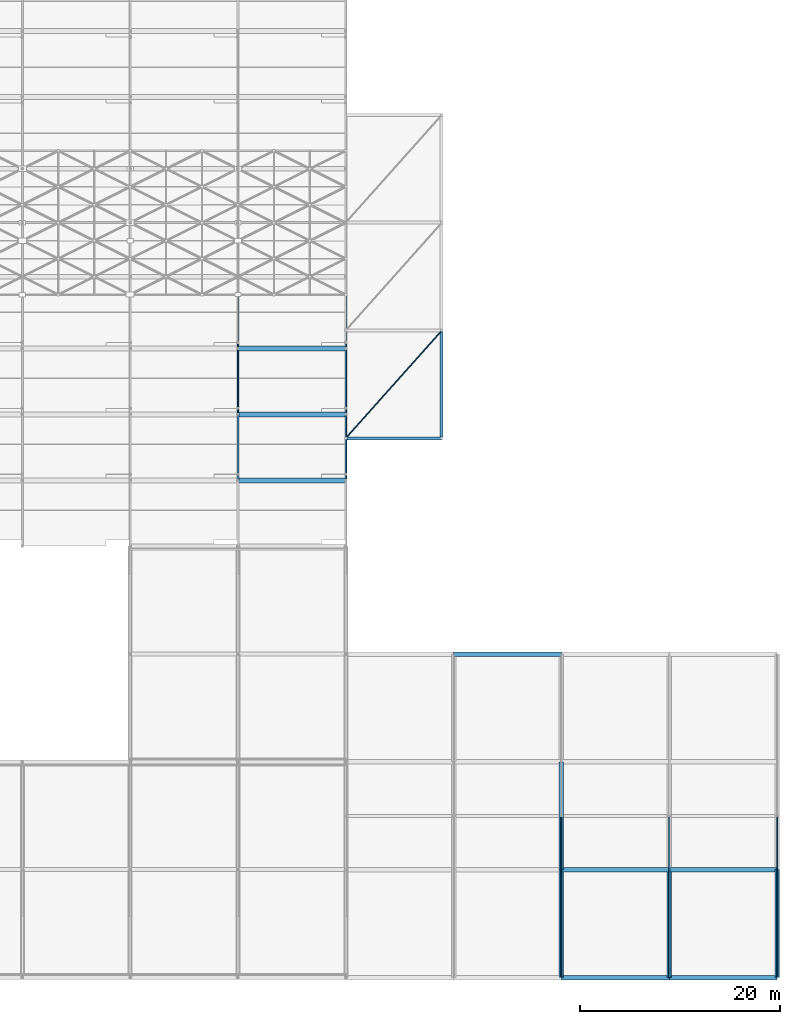
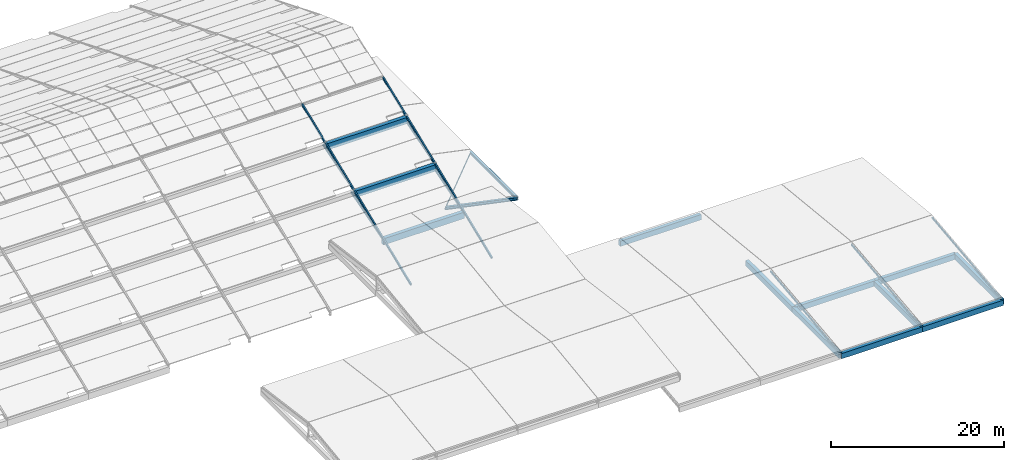
# One storey, part 59 of 112: 14 beams, 10 members.
"""IFC4 building model written with IfcOpenShell, lengths in metres."""

from ifc_helpers import new_model, si_unit, direction, frame, origin, origin_2d, place, context, subcontext, project, spatial, rectangle, hollow_rectangle, hollow_circle, i_section, extrude, material, material_profile, profile_set, type_object, element, save


model = new_model("IFC4")

# Units and contexts
model_context = context("Model", 3, precision=1e-05, world=origin(), true_north=direction((0.0, 1.0)))
body_context = subcontext(model_context, "Body", "Model", "MODEL_VIEW")
ifc_project = project(units=[si_unit("LENGTHUNIT", "METRE"), si_unit("AREAUNIT", "SQUARE_METRE"), si_unit("VOLUMEUNIT", "CUBIC_METRE"), si_unit("PLANEANGLEUNIT", "RADIAN"), si_unit("MASSUNIT", "GRAM", prefix="KILO")], contexts=[model_context])

# Site, building, storey
site_placement = place(None, origin())
site = spatial("IfcSite", under=ifc_project, at=site_placement, CompositionType="ELEMENT")
building_placement = place(site_placement, origin())
building = spatial("IfcBuilding", under=site, at=building_placement, Name="Zwinboog Wholesale Market", CompositionType="ELEMENT")
storey_placement = place(building_placement, frame((0.0, 0.0, 19.080078125)))
storey = spatial("IfcBuildingStorey", under=building, at=storey_placement, Name="Roof", CompositionType="ELEMENT", Elevation=19.080078125)

# Beams
ifc_material_1 = material(Name="Precast concrete C45/55", Category="concrete")
ifc_material_profile_1 = material_profile(ifc_material_1, rectangle(XDim=0.449951171875, YDim=0.75, at=origin_2d()), Name="PC 450x750")
ifc_profile_set_1 = profile_set([ifc_material_profile_1], Name="Precast concrete C45/55")
beam_type_1 = type_object("IfcBeamType", Name="BT-04", PredefinedType="BEAM", material=ifc_profile_set_1)
beam_1_placement = place(storey_placement, frame((183.60009765625, 32.39990234375, -4.695068359375), z_axis=(1.0, 0.0, 0.0), x_axis=(0.0, 1.0, 0.0)))
element("IfcBeam", 1, at=beam_1_placement, inside=storey, type_object=beam_type_1, Name="BG-04 (BMG-Roof-1836-0324-1266)", PredefinedType="BEAM", context=body_context, shape_type="SweptSolid", body=[
    extrude(rectangle(XDim=0.449951171875, YDim=0.75, at=origin_2d()), origin(), (0.0, 0.0, 1.0), 10.7998046875),
])
for number, where, z_axis, x_axis, name in (
    (2, (194.39990234375, 0.0, -4.695068359375), (1.0, 0.0, 0.0), (0.0, 1.0, 0.0), "BG-04 (BMG-Roof-1944-0000-1267)"),
    (3, (194.39990234375, 10.800048828125, -4.695068359375), (1.0, 0.0, 0.0), (0.0, 1.0, 0.0), "BG-04 (BMG-Roof-1944-0108-1268)"),
    (4, (205.199951171875, 0.0, -4.695068359375), (1.0, 0.0, 0.0), (0.0, 1.0, 0.0), "BG-04 (BMG-Roof-2052-0000-1271)"),
    (5, (205.199951171875, 10.800048828125, -4.695068359375), (1.0, 0.0, 0.0), (0.0, 1.0, 0.0), "BG-04 (BMG-Roof-2052-0108-1272)"),
    (6, (194.39990234375, 0.0, -4.695068359375), (0.0, 1.0, 0.0), (-1.0, 0.0, 0.0), "BG-04 (BMG-Roof-1944-0000-1278)"),
    (7, (194.39990234375, 10.800048828125, -4.695068359375), (0.0, 1.0, 0.0), (-1.0, 0.0, 0.0), "BG-04 (BMG-Roof-1944-0108-1279)"),
    (8, (205.199951171875, 0.0, -4.695068359375), (0.0, 1.0, 0.0), (-1.0, 0.0, 0.0), "BG-04 (BMG-Roof-2052-0000-1281)"),
    (9, (216.0, 0.0, -4.695068359375), (0.0, 1.0, 0.0), (-1.0, 0.0, 0.0), "BG-04 (BMG-Roof-2160-0000-1284)"),
):
    element("IfcBeam", number, at=place(storey_placement, frame(where, z_axis=z_axis, x_axis=x_axis)), inside=storey, type_object=beam_type_1, Name=name, PredefinedType="BEAM", context=body_context, shape_type="SweptSolid", body=[
        extrude(rectangle(XDim=0.449951171875, YDim=0.75, at=origin_2d()), origin(), (0.0, 0.0, 1.0), 10.800048828125),
    ])
ifc_material_profile_2 = material_profile(ifc_material_1, rectangle(XDim=0.5, YDim=0.89990234375, at=origin_2d()), Name="PC 500x900")
ifc_profile_set_2 = profile_set([ifc_material_profile_2], Name="Precast concrete C45/55")
beam_type_2 = type_object("IfcBeamType", Name="BT-06", PredefinedType="BEAM", material=ifc_profile_set_2)
for number, where, z_axis, x_axis, name in (
    (10, (162.0, 49.800048828125, -7.402099609375), (1.0, 0.0, 0.0), (0.0, 1.0, 0.0), "EB-01 (BMG-Roof-1620-0498-1139)"),
    (11, (162.0, 56.39990234375, -4.716064453125), (1.0, 0.0, 0.0), (0.0, 1.0, 0.0), "EB-01 (BMG-Roof-1620-0564-1140)"),
    (12, (162.0, 63.0, -2.031982421875), (1.0, 0.0, 0.0), (0.0, 1.0, 0.0), "EB-01 (BMG-Roof-1620-0630-1141)"),
):
    element("IfcBeam", number, at=place(storey_placement, frame(where, z_axis=z_axis, x_axis=x_axis)), inside=storey, type_object=beam_type_2, Name=name, PredefinedType="BEAM", context=body_context, shape_type="SweptSolid", body=[
        extrude(rectangle(XDim=0.5, YDim=0.89990234375, at=origin_2d()), origin(), (0.0, 0.0, 1.0), 10.800048828125),
    ])
ifc_material_2 = material(Name="Steel S355", Category="steel")
ifc_material_profile_3 = material_profile(ifc_material_2, i_section(OverallWidth=0.300048828125, OverallDepth=0.39990234375, WebThickness=0.013427734375, FlangeThickness=0.02392578125, FilletRadius=0.027099609375, at=origin_2d()), Name="HEB 400")
ifc_profile_set_3 = profile_set([ifc_material_profile_3], Name="Steel S355")
beam_type_3 = type_object("IfcBeamType", Name="BT-15", PredefinedType="BEAM", material=ifc_profile_set_3)
beam_2_placement = place(storey_placement, frame((182.39990234375, 54.0, -11.080078125), z_axis=(0.0, 1.0, 0.0), x_axis=(-1.0, 0.0, 0.0)))
element("IfcBeam", 13, at=beam_2_placement, inside=storey, type_object=beam_type_3, Name="SB-02 (BMG-Roof-1824-0540-1323)", PredefinedType="BEAM", context=body_context, shape_type="SweptSolid", body=[
    extrude(i_section(OverallWidth=0.300048828125, OverallDepth=0.39990234375, WebThickness=0.013427734375, FlangeThickness=0.02392578125, FilletRadius=0.027099609375, at=origin_2d()), origin(), (0.0, 0.0, 1.0), 10.800048828125),
])
beam_3_placement = place(storey_placement, frame((172.800048828125, 54.0, -9.080078125), z_axis=(0.978979798341, 0.0, -0.203957236795), x_axis=(0.0, 1.0, 0.0)))
element("IfcBeam", 14, at=beam_3_placement, inside=storey, type_object=beam_type_3, Name="SB-02 (BMG-Roof-1728-0540-1324)", PredefinedType="BEAM", context=body_context, shape_type="SweptSolid", body=[
    extrude(i_section(OverallWidth=0.300048828125, OverallDepth=0.39990234375, WebThickness=0.013427734375, FlangeThickness=0.02392578125, FilletRadius=0.027099609375, at=origin_2d()), origin(), (0.0, 0.0, 1.0), 9.805908203125),
])

# Members
ifc_material_profile_4 = material_profile(ifc_material_2, hollow_rectangle(XDim=0.199951171875, YDim=0.300048828125, WallThickness=0.012451171875, InnerFilletRadius=0.012451171875, OuterFilletRadius=0.02490234375, at=origin_2d()), Name="RHS 300x200x12.5")
ifc_profile_set_4 = profile_set([ifc_material_profile_4], Name="Steel S355")
member_type_1 = type_object("IfcMemberType", Name="MT-01", PredefinedType="CHORD", material=ifc_profile_set_4)
member_1_placement = place(storey_placement, frame((162.0, 43.199951171875, -9.580078125), z_axis=(0.0, 0.926947185036, 0.375191839135), x_axis=(-1.0, 0.0, 0.0)))
element("IfcMember", 15, at=member_1_placement, inside=storey, type_object=member_type_1, Name="DC-01 (MEM-Roof-0271)", PredefinedType="CHORD", context=body_context, shape_type="SweptSolid", body=[
    extrude(hollow_rectangle(XDim=0.199951171875, YDim=0.300048828125, WallThickness=0.012451171875, InnerFilletRadius=0.012451171875, OuterFilletRadius=0.02490234375, at=origin_2d()), origin(), (0.0, 0.0, 1.0), 27.18603515625),
])
member_2_placement = place(storey_placement, frame((162.0, 49.800048828125, -7.0), z_axis=(0.0, 0.958194819429, 0.286116563694), x_axis=(-1.0, 0.0, 0.0)))
element("IfcMember", 16, at=member_2_placement, inside=storey, type_object=member_type_1, Name="DC-01 (MEM-Roof-0277)", PredefinedType="CHORD", context=body_context, shape_type="SweptSolid", body=[
    extrude(hollow_rectangle(XDim=0.199951171875, YDim=0.300048828125, WallThickness=0.012451171875, InnerFilletRadius=0.012451171875, OuterFilletRadius=0.02490234375, at=origin_2d()), origin(), (0.0, 0.0, 1.0), 7.51416015625),
])
member_3_placement = place(storey_placement, frame((172.800048828125, 43.199951171875, -9.580078125), z_axis=(0.0, 0.926947185036, 0.375191839135), x_axis=(-1.0, 0.0, 0.0)))
element("IfcMember", 17, at=member_3_placement, inside=storey, type_object=member_type_1, Name="DC-01 (MEM-Roof-0301)", PredefinedType="CHORD", context=body_context, shape_type="SweptSolid", body=[
    extrude(hollow_rectangle(XDim=0.199951171875, YDim=0.300048828125, WallThickness=0.012451171875, InnerFilletRadius=0.012451171875, OuterFilletRadius=0.02490234375, at=origin_2d()), origin(), (0.0, 0.0, 1.0), 27.18603515625),
])
member_4_placement = place(storey_placement, frame((172.800048828125, 49.800048828125, -7.0), z_axis=(0.0, 0.958194819429, 0.286116563694), x_axis=(-1.0, 0.0, 0.0)))
element("IfcMember", 18, at=member_4_placement, inside=storey, type_object=member_type_1, Name="DC-01 (MEM-Roof-0307)", PredefinedType="CHORD", context=body_context, shape_type="SweptSolid", body=[
    extrude(hollow_rectangle(XDim=0.199951171875, YDim=0.300048828125, WallThickness=0.012451171875, InnerFilletRadius=0.012451171875, OuterFilletRadius=0.02490234375, at=origin_2d()), origin(), (0.0, 0.0, 1.0), 7.51416015625),
])
ifc_material_profile_5 = material_profile(ifc_material_2, hollow_rectangle(XDim=0.14990234375, YDim=0.25, WallThickness=0.010009765625, InnerFilletRadius=0.010009765625, OuterFilletRadius=0.02001953125, at=origin_2d()), Name="RHS 250x150x10")
ifc_profile_set_5 = profile_set([ifc_material_profile_5], Name="Steel S355")
member_type_2 = type_object("IfcMemberType", Name="MT-02", PredefinedType="CHORD", material=ifc_profile_set_5)
for number, where, z_axis, x_axis, name in (
    (19, (162.0, 56.39990234375, -4.300048828125), (0.0, 0.958197479113, 0.28610765635), (-1.0, 0.0, 0.0), "DC-02 (MEM-Roof-0280)"),
    (20, (172.800048828125, 56.39990234375, -4.300048828125), (0.0, 0.958197479113, 0.28610765635), (-1.0, 0.0, 0.0), "DC-02 (MEM-Roof-0310)"),
):
    element("IfcMember", number, at=place(storey_placement, frame(where, z_axis=z_axis, x_axis=x_axis)), inside=storey, type_object=member_type_2, Name=name, PredefinedType="CHORD", context=body_context, shape_type="SweptSolid", body=[
        extrude(hollow_rectangle(XDim=0.14990234375, YDim=0.25, WallThickness=0.010009765625, InnerFilletRadius=0.010009765625, OuterFilletRadius=0.02001953125, at=origin_2d()), origin(), (0.0, 0.0, 1.0), 7.514404296875),
    ])
for number, where, z_axis, x_axis, name in (
    (21, (194.39990234375, 0.0, -4.469970703125), (0.0, 0.993612545096, 0.11284551488), (-1.0, 0.0, 0.0), "DC-02 (MEM-Roof-0891)"),
    (22, (205.199951171875, 0.0, -4.469970703125), (0.0, 0.993612545096, 0.11284551488), (-1.0, 0.0, 0.0), "DC-02 (MEM-Roof-0894)"),
    (23, (216.0, 0.0, -4.469970703125), (0.0, 0.993612545096, 0.11284551488), (-1.0, 0.0, 0.0), "DC-02 (MEM-Roof-0897)"),
):
    element("IfcMember", number, at=place(storey_placement, frame(where, z_axis=z_axis, x_axis=x_axis)), inside=storey, type_object=member_type_2, Name=name, PredefinedType="CHORD", context=body_context, shape_type="SweptSolid", body=[
        extrude(hollow_rectangle(XDim=0.14990234375, YDim=0.25, WallThickness=0.010009765625, InnerFilletRadius=0.010009765625, OuterFilletRadius=0.02001953125, at=origin_2d()), origin(), (0.0, 0.0, 1.0), 16.30419921875),
    ])
ifc_material_profile_6 = material_profile(ifc_material_2, hollow_circle(Radius=0.06982421875, WallThickness=0.00634765625, at=origin_2d()), Name="CHS 139.7x6.3")
ifc_profile_set_6 = profile_set([ifc_material_profile_6], Name="Steel S355")
member_type_3 = type_object("IfcMemberType", Name="MT-08", PredefinedType="BRACE", material=ifc_profile_set_6)
member_5_placement = place(storey_placement, frame((172.800048828125, 54.02001953125, -9.16015625), z_axis=(0.659421748326, 0.739113825029, -0.137381627178), x_axis=(-0.746189046362, 0.665734111406, 0.0)))
element("IfcMember", 24, at=member_5_placement, inside=storey, type_object=member_type_3, Name="DB-05 (MEM-Roof-0942)", PredefinedType="BRACE", context=body_context, shape_type="SweptSolid", body=[
    extrude(hollow_circle(Radius=0.06982421875, WallThickness=0.00634765625, at=origin_2d()), origin(), (0.0, 0.0, 1.0), 14.55810546875),
])

save(model, "model.ifc")
